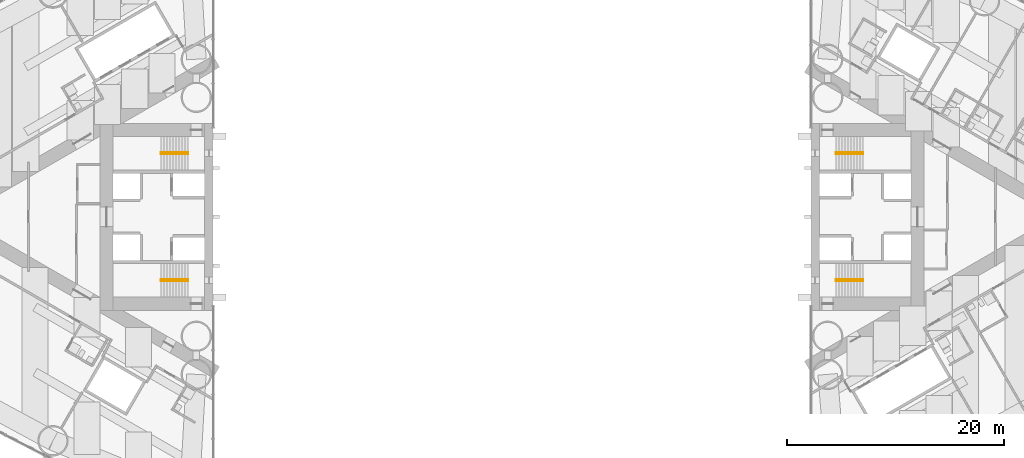
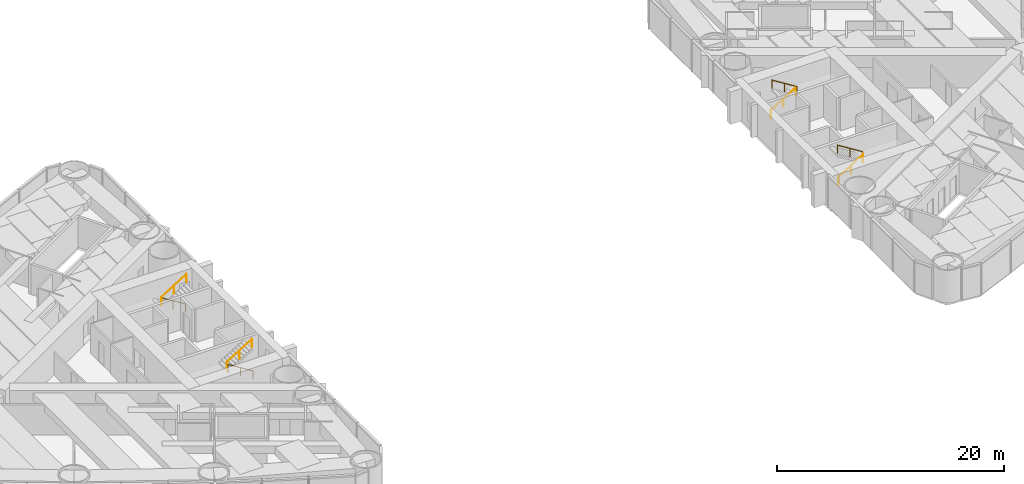
# One storey, part 17 of 18: 8 railings.
"""IFC4 building model written with IfcOpenShell, lengths in metres."""

from ifc_helpers import new_model, si_unit, direction, frame, origin, origin_2d, place, context, subcontext, project, spatial, circle, extrude, material, type_object, element, save


model = new_model("IFC4")

# Units and contexts
model_context = context("Model", 3, precision=1e-05, world=origin(), true_north=direction((0.0, 1.0)))
body_context = subcontext(model_context, "Body", "Model", "MODEL_VIEW")
ifc_project = project(units=[si_unit("LENGTHUNIT", "METRE"), si_unit("AREAUNIT", "SQUARE_METRE"), si_unit("VOLUMEUNIT", "CUBIC_METRE"), si_unit("PLANEANGLEUNIT", "RADIAN"), si_unit("MASSUNIT", "GRAM", prefix="KILO")], contexts=[model_context])

# Site, building, storey
site_placement = place(None, origin())
site = spatial("IfcSite", under=ifc_project, at=site_placement, CompositionType="ELEMENT")
building_placement = place(site_placement, origin())
building = spatial("IfcBuilding", under=site, at=building_placement, Name="Lancet Gate Hotel", CompositionType="ELEMENT")
storey_placement = place(building_placement, frame((0.0, 0.0, 46.0)))
storey = spatial("IfcBuildingStorey", under=building, at=storey_placement, Name="L11", CompositionType="ELEMENT", Elevation=46.0)

# Railings
ifc_material = material(Name="Stainless steel handrail", Category="steel")
railing_type = type_object("IfcRailingType", Name="Stair handrail 900", PredefinedType="HANDRAIL", material=ifc_material)
railing_1_placement = place(storey_placement, frame((-29.800048828125, 5.929931640625, 0.175048828125)))
element("IfcRailing", 1, at=railing_1_placement, inside=storey, type_object=railing_type, Name="ST1 handrail flight 1 L11", PredefinedType="HANDRAIL", context=body_context, shape_type="SweptSolid", body=[
    extrude(circle(Radius=0.02392578125, at=origin_2d()), frame((0.0, 0.0, 0.8759765625), z_axis=(-0.848007534815, 0.0, 0.529984170421), x_axis=(0.0, -1.0, 0.0)), (0.0, 0.0, 1.0), 2.9716796875),
    extrude(circle(Radius=0.02099609375, at=origin_2d()), origin(), (0.0, 0.0, 1.0), 0.851806640625),
    extrude(circle(Radius=0.02099609375, at=origin_2d()), frame((-1.260009765625, 0.0, 0.78759765625)), (0.0, 0.0, 1.0), 0.851806640625),
    extrude(circle(Radius=0.02099609375, at=origin_2d()), frame((-2.52001953125, 0.0, 1.574951171875)), (0.0, 0.0, 1.0), 0.851806640625),
])
railing_2_placement = place(storey_placement, frame((-32.320068359375, 5.77001953125, 1.925048828125)))
element("IfcRailing", 2, at=railing_2_placement, inside=storey, type_object=railing_type, Name="ST1 handrail flight 2 L11", PredefinedType="HANDRAIL", context=body_context, shape_type="SweptSolid", body=[
    extrude(circle(Radius=0.02392578125, at=origin_2d()), frame((0.0, 0.0, 0.8759765625), z_axis=(0.848007534815, 0.0, 0.529984170421), x_axis=(0.0, 1.0, 0.0)), (0.0, 0.0, 1.0), 2.9716796875),
    extrude(circle(Radius=0.02099609375, at=origin_2d()), origin(), (0.0, 0.0, 1.0), 0.851806640625),
    extrude(circle(Radius=0.02099609375, at=origin_2d()), frame((1.260009765625, 0.0, 0.78759765625)), (0.0, 0.0, 1.0), 0.851806640625),
    extrude(circle(Radius=0.02099609375, at=origin_2d()), frame((2.52001953125, 0.0, 1.574951171875)), (0.0, 0.0, 1.0), 0.851806640625),
])
railing_3_placement = place(storey_placement, frame((-29.800048828125, -5.929931640625, 0.175048828125)))
element("IfcRailing", 3, at=railing_3_placement, inside=storey, type_object=railing_type, Name="ST2 handrail flight 1 L11", PredefinedType="HANDRAIL", context=body_context, shape_type="SweptSolid", body=[
    extrude(circle(Radius=0.02392578125, at=origin_2d()), frame((0.0, 0.0, 0.8759765625), z_axis=(-0.848007534815, 0.0, 0.529984170421), x_axis=(0.0, -1.0, 0.0)), (0.0, 0.0, 1.0), 2.9716796875),
    extrude(circle(Radius=0.02099609375, at=origin_2d()), origin(), (0.0, 0.0, 1.0), 0.851806640625),
    extrude(circle(Radius=0.02099609375, at=origin_2d()), frame((-1.260009765625, 0.0, 0.78759765625)), (0.0, 0.0, 1.0), 0.851806640625),
    extrude(circle(Radius=0.02099609375, at=origin_2d()), frame((-2.52001953125, 0.0, 1.574951171875)), (0.0, 0.0, 1.0), 0.851806640625),
])
for number, where, name in (
    (4, (-32.320068359375, -5.77001953125, 1.925048828125), "ST2 handrail flight 2 L11"),
    (5, (29.800048828125, -5.929931640625, 0.175048828125), "ST3 handrail flight 1 L11"),
):
    element("IfcRailing", number, at=place(storey_placement, frame(where)), inside=storey, type_object=railing_type, Name=name, PredefinedType="HANDRAIL", context=body_context, shape_type="SweptSolid", body=[
        extrude(circle(Radius=0.02392578125, at=origin_2d()), frame((0.0, 0.0, 0.8759765625), z_axis=(0.848007534815, 0.0, 0.529984170421), x_axis=(0.0, 1.0, 0.0)), (0.0, 0.0, 1.0), 2.9716796875),
        extrude(circle(Radius=0.02099609375, at=origin_2d()), origin(), (0.0, 0.0, 1.0), 0.851806640625),
        extrude(circle(Radius=0.02099609375, at=origin_2d()), frame((1.260009765625, 0.0, 0.78759765625)), (0.0, 0.0, 1.0), 0.851806640625),
        extrude(circle(Radius=0.02099609375, at=origin_2d()), frame((2.52001953125, 0.0, 1.574951171875)), (0.0, 0.0, 1.0), 0.851806640625),
    ])
railing_4_placement = place(storey_placement, frame((32.320068359375, -5.77001953125, 1.925048828125)))
element("IfcRailing", 6, at=railing_4_placement, inside=storey, type_object=railing_type, Name="ST3 handrail flight 2 L11", PredefinedType="HANDRAIL", context=body_context, shape_type="SweptSolid", body=[
    extrude(circle(Radius=0.02392578125, at=origin_2d()), frame((0.0, 0.0, 0.8759765625), z_axis=(-0.848007534815, 0.0, 0.529984170421), x_axis=(0.0, -1.0, 0.0)), (0.0, 0.0, 1.0), 2.9716796875),
    extrude(circle(Radius=0.02099609375, at=origin_2d()), origin(), (0.0, 0.0, 1.0), 0.851806640625),
    extrude(circle(Radius=0.02099609375, at=origin_2d()), frame((-1.260009765625, 0.0, 0.78759765625)), (0.0, 0.0, 1.0), 0.851806640625),
    extrude(circle(Radius=0.02099609375, at=origin_2d()), frame((-2.52001953125, 0.0, 1.574951171875)), (0.0, 0.0, 1.0), 0.851806640625),
])
railing_5_placement = place(storey_placement, frame((29.800048828125, 5.929931640625, 0.175048828125)))
element("IfcRailing", 7, at=railing_5_placement, inside=storey, type_object=railing_type, Name="ST4 handrail flight 1 L11", PredefinedType="HANDRAIL", context=body_context, shape_type="SweptSolid", body=[
    extrude(circle(Radius=0.02392578125, at=origin_2d()), frame((0.0, 0.0, 0.8759765625), z_axis=(0.848007534815, 0.0, 0.529984170421), x_axis=(0.0, 1.0, 0.0)), (0.0, 0.0, 1.0), 2.9716796875),
    extrude(circle(Radius=0.02099609375, at=origin_2d()), origin(), (0.0, 0.0, 1.0), 0.851806640625),
    extrude(circle(Radius=0.02099609375, at=origin_2d()), frame((1.260009765625, 0.0, 0.78759765625)), (0.0, 0.0, 1.0), 0.851806640625),
    extrude(circle(Radius=0.02099609375, at=origin_2d()), frame((2.52001953125, 0.0, 1.574951171875)), (0.0, 0.0, 1.0), 0.851806640625),
])
railing_6_placement = place(storey_placement, frame((32.320068359375, 5.77001953125, 1.925048828125)))
element("IfcRailing", 8, at=railing_6_placement, inside=storey, type_object=railing_type, Name="ST4 handrail flight 2 L11", PredefinedType="HANDRAIL", context=body_context, shape_type="SweptSolid", body=[
    extrude(circle(Radius=0.02392578125, at=origin_2d()), frame((0.0, 0.0, 0.8759765625), z_axis=(-0.848007534815, 0.0, 0.529984170421), x_axis=(0.0, -1.0, 0.0)), (0.0, 0.0, 1.0), 2.9716796875),
    extrude(circle(Radius=0.02099609375, at=origin_2d()), origin(), (0.0, 0.0, 1.0), 0.851806640625),
    extrude(circle(Radius=0.02099609375, at=origin_2d()), frame((-1.260009765625, 0.0, 0.78759765625)), (0.0, 0.0, 1.0), 0.851806640625),
    extrude(circle(Radius=0.02099609375, at=origin_2d()), frame((-2.52001953125, 0.0, 1.574951171875)), (0.0, 0.0, 1.0), 0.851806640625),
])

save(model, "model.ifc")
